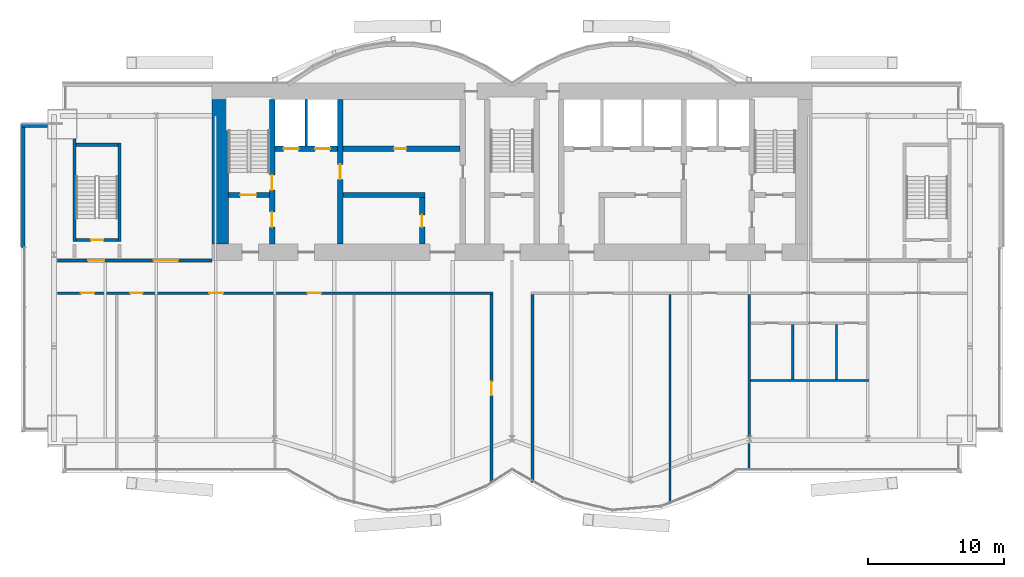
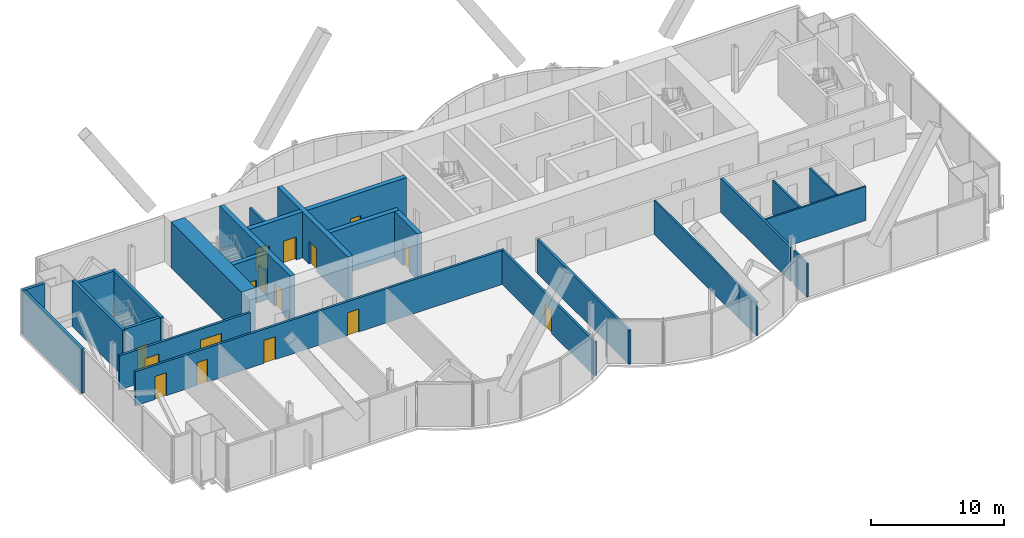
# One storey, part 13 of 19: 25 walls, 16 doors, 16 openings.
"""IFC4 building model written with IfcOpenShell, lengths in metres."""

from ifc_helpers import new_model, si_unit, direction, frame, frame_2d, origin, place, context, subcontext, project, spatial, rectangle, extrude, material, layer, layer_set, layer_usage, type_object, element, fill, save


model = new_model("IFC4")

# Units and contexts
model_context = context("Model", 3, precision=1e-05, world=origin(), true_north=direction((0.0, 1.0)))
body_context = subcontext(model_context, "Body", "Model", "MODEL_VIEW")
ifc_project = project(units=[si_unit("LENGTHUNIT", "METRE"), si_unit("AREAUNIT", "SQUARE_METRE"), si_unit("VOLUMEUNIT", "CUBIC_METRE"), si_unit("PLANEANGLEUNIT", "RADIAN"), si_unit("MASSUNIT", "GRAM", prefix="KILO")], contexts=[model_context])

# Site, building, storey
site_placement = place(None, origin())
site = spatial("IfcSite", under=ifc_project, at=site_placement, CompositionType="ELEMENT")
building_placement = place(site_placement, origin())
building = spatial("IfcBuilding", under=site, at=building_placement, Name="Bicima Exchange Tower", CompositionType="ELEMENT")
storey_placement = place(building_placement, frame((0.0, 0.0, 270.800048828125)))
storey = spatial("IfcBuildingStorey", under=building, at=storey_placement, Name="L61", CompositionType="ELEMENT", Elevation=270.800048828125)

# Wall
ifc_material_1 = material(Name="Gypsum board partition")
ifc_layer_1 = layer(ifc_material_1, 0.199951171875)
ifc_layer_set_1 = layer_set([ifc_layer_1], Name="Gypsum board partition")
wall_type_1 = type_object("IfcWallType", Name="Fire-rated gypsum partition 200 EI120", PredefinedType="PARTITIONING", material=ifc_layer_set_1)
wall_1_placement = place(storey_placement, frame((-15.10009765625, -4.60009765625, 0.0), z_axis=(0.0, 0.0, 1.0), x_axis=(0.0, 1.0, 0.0)))
element("IfcWall", 1, at=wall_1_placement, inside=storey, type_object=wall_type_1, Name="partition wall 9", PredefinedType="PARTITIONING", context=body_context, shape_type="SweptSolid", body=[
    extrude(rectangle(XDim=3.400146484375, YDim=0.199951171875, at=frame_2d((1.7001953125, 0.0))), origin(), (0.0, 0.0, 1.0), 3.1181640625),
])

# Wall, openings, doors
ifc_layer_2 = layer(ifc_material_1, 0.199951171875)
ifc_layer_set_2 = layer_set([ifc_layer_2], Name="Gypsum board partition")
wall_type_2 = type_object("IfcWallType", Name="Fire-rated gypsum partition 200 EI60", PredefinedType="PARTITIONING", material=ifc_layer_set_2)
wall_2_placement = place(storey_placement, frame((-33.340087890625, -15.39990234375, 0.0), z_axis=(0.0, 0.0, 1.0), x_axis=(1.0, 0.0, 0.0)))
wall_2 = element("IfcWall", 2, at=wall_2_placement, inside=storey, type_object=wall_type_2, Name="partition wall 3", PredefinedType="PARTITIONING", context=body_context, shape_type="SweptSolid", body=[
    extrude(rectangle(XDim=31.940185546875, YDim=0.199951171875, at=frame_2d((15.97021484375, 0.0))), origin(), (0.0, 0.0, 1.0), 3.1181640625),
])
opening_1_placement = place(wall_2_placement, frame((1.699951171875, 0.0, 0.0)))
opening_1 = element("IfcOpeningElement", 3, at=opening_1_placement, cuts=wall_2, Name="Opening L61-007", PredefinedType="OPENING", context=body_context, shape_type="SweptSolid", body=[
    extrude(rectangle(XDim=1.0, YDim=2.10009765625, at=frame_2d((0.5, 1.050048828125))), frame((0.0, 0.11181640625, 0.0), z_axis=(0.0, -1.0, 0.0), x_axis=(1.0, 0.0, 0.0)), (0.0, 0.0, 1.0), 0.223876953125),
])
opening_2_placement = place(wall_2_placement, frame((5.340087890625, 0.0, 0.0)))
opening_2 = element("IfcOpeningElement", 4, at=opening_2_placement, cuts=wall_2, Name="Opening L61-008", PredefinedType="OPENING", context=body_context, shape_type="SweptSolid", body=[
    extrude(rectangle(XDim=0.89990234375, YDim=2.10009765625, at=frame_2d((0.449951171875, 1.050048828125))), frame((0.0, 0.11181640625, 0.0), z_axis=(0.0, -1.0, 0.0), x_axis=(1.0, 0.0, 0.0)), (0.0, 0.0, 1.0), 0.223876953125),
])
opening_3_placement = place(wall_2_placement, frame((11.139892578125, 0.0, 0.0)))
opening_3 = element("IfcOpeningElement", 5, at=opening_3_placement, cuts=wall_2, Name="Opening L61-009", PredefinedType="OPENING", context=body_context, shape_type="SweptSolid", body=[
    extrude(rectangle(XDim=1.0, YDim=2.10009765625, at=frame_2d((0.5, 1.050048828125))), frame((0.0, 0.11181640625, 0.0), z_axis=(0.0, -1.0, 0.0), x_axis=(1.0, 0.0, 0.0)), (0.0, 0.0, 1.0), 0.223876953125),
])
opening_4_placement = place(wall_2_placement, frame((18.340087890625, 0.0, 0.0)))
opening_4 = element("IfcOpeningElement", 6, at=opening_4_placement, cuts=wall_2, Name="Opening L61-010", PredefinedType="OPENING", context=body_context, shape_type="SweptSolid", body=[
    extrude(rectangle(XDim=1.0, YDim=2.10009765625, at=frame_2d((0.5, 1.050048828125))), frame((0.0, 0.11181640625, 0.0), z_axis=(0.0, -1.0, 0.0), x_axis=(1.0, 0.0, 0.0)), (0.0, 0.0, 1.0), 0.223876953125),
])
ifc_material_2 = material(Name="Steel fire door leaf", Category="steel")
door_type_1 = type_object("IfcDoorType", Name="Door 1000 swing FD30S", OperationType="SINGLE_SWING_LEFT", PredefinedType="DOOR", material=ifc_material_2)
door_1_placement = place(opening_1_placement, frame((1.0, 0.0, 0.0), z_axis=(0.0, 0.0, 1.0), x_axis=(-1.0, 0.0, 0.0)))
door_1 = element("IfcDoor", 7, at=door_1_placement, inside=storey, type_object=door_type_1, Name="Door", OperationType="SINGLE_SWING_LEFT", OverallHeight=2.10009765625, OverallWidth=1.0, PredefinedType="DOOR", context=body_context, shape_type="SweptSolid", body=[
    extrude(rectangle(XDim=1.0, YDim=2.10009765625, at=frame_2d((0.5, 1.050048828125))), frame((0.0, 0.02490234375, 0.0), z_axis=(0.0, -1.0, 0.0), x_axis=(1.0, 0.0, 0.0)), (0.0, 0.0, 1.0), 0.050048828125),
])
fill(opening_1, door_1)
door_2_placement = place(opening_3_placement, frame((1.0, 0.0, 0.0), z_axis=(0.0, 0.0, 1.0), x_axis=(-1.0, 0.0, 0.0)))
door_2 = element("IfcDoor", 8, at=door_2_placement, inside=storey, type_object=door_type_1, Name="Door", OperationType="SINGLE_SWING_RIGHT", OverallHeight=2.10009765625, OverallWidth=1.0, PredefinedType="DOOR", context=body_context, shape_type="SweptSolid", body=[
    extrude(rectangle(XDim=1.0, YDim=2.10009765625, at=frame_2d((0.5, 1.050048828125))), frame((0.0, 0.02490234375, 0.0), z_axis=(0.0, -1.0, 0.0), x_axis=(1.0, 0.0, 0.0)), (0.0, 0.0, 1.0), 0.050048828125),
])
fill(opening_3, door_2)
door_3_placement = place(opening_4_placement, frame((1.0, 0.0, 0.0), z_axis=(0.0, 0.0, 1.0), x_axis=(-1.0, 0.0, 0.0)))
door_3 = element("IfcDoor", 9, at=door_3_placement, inside=storey, type_object=door_type_1, Name="Door", OperationType="SINGLE_SWING_LEFT", OverallHeight=2.10009765625, OverallWidth=1.0, PredefinedType="DOOR", context=body_context, shape_type="SweptSolid", body=[
    extrude(rectangle(XDim=1.0, YDim=2.10009765625, at=frame_2d((0.5, 1.050048828125))), frame((0.0, 0.02490234375, 0.0), z_axis=(0.0, -1.0, 0.0), x_axis=(1.0, 0.0, 0.0)), (0.0, 0.0, 1.0), 0.050048828125),
])
fill(opening_4, door_3)
door_type_2 = type_object("IfcDoorType", Name="Door 900 swing FD30S", OperationType="SINGLE_SWING_LEFT", PredefinedType="DOOR", material=ifc_material_2)
door_4_placement = place(opening_2_placement, frame((0.89990234375, 0.0, 0.0), z_axis=(0.0, 0.0, 1.0), x_axis=(-1.0, 0.0, 0.0)))
door_4 = element("IfcDoor", 10, at=door_4_placement, inside=storey, type_object=door_type_2, Name="Door", OperationType="SINGLE_SWING_RIGHT", OverallHeight=2.10009765625, OverallWidth=0.89990234375, PredefinedType="DOOR", context=body_context, shape_type="SweptSolid", body=[
    extrude(rectangle(XDim=0.89990234375, YDim=2.10009765625, at=frame_2d((0.449951171875, 1.050048828125))), frame((0.0, 0.02490234375, 0.0), z_axis=(0.0, -1.0, 0.0), x_axis=(1.0, 0.0, 0.0)), (0.0, 0.0, 1.0), 0.050048828125),
])
fill(opening_2, door_4)

wall_3_placement = place(storey_placement, frame((-33.340087890625, -13.0, 0.0), z_axis=(0.0, 0.0, 1.0), x_axis=(1.0, 0.0, 0.0)))
wall_3 = element("IfcWall", 11, at=wall_3_placement, inside=storey, type_object=wall_type_2, Name="partition wall 5", PredefinedType="PARTITIONING", context=body_context, shape_type="SweptSolid", body=[
    extrude(rectangle(XDim=11.340087890625, YDim=0.199951171875, at=frame_2d((5.669921875, 0.0))), origin(), (0.0, 0.0, 1.0), 3.1181640625),
])
opening_5_placement = place(wall_3_placement, frame((2.239990234375, 0.0, 0.0)))
opening_5 = element("IfcOpeningElement", 12, at=opening_5_placement, cuts=wall_3, Name="Opening L61-001", PredefinedType="OPENING", context=body_context, shape_type="SweptSolid", body=[
    extrude(rectangle(XDim=1.199951171875, YDim=2.10009765625, at=frame_2d((0.60009765625, 1.050048828125))), frame((0.0, 0.11181640625, 0.0), z_axis=(0.0, -1.0, 0.0), x_axis=(1.0, 0.0, 0.0)), (0.0, 0.0, 1.0), 0.223876953125),
])
opening_6_placement = place(wall_3_placement, frame((7.0400390625, 0.0, 0.0)))
opening_6 = element("IfcOpeningElement", 13, at=opening_6_placement, cuts=wall_3, Name="Opening L61-005", PredefinedType="OPENING", context=body_context, shape_type="SweptSolid", body=[
    extrude(rectangle(XDim=1.800048828125, YDim=2.10009765625, at=frame_2d((0.89990234375, 1.050048828125))), frame((0.0, 0.11181640625, 0.0), z_axis=(0.0, -1.0, 0.0), x_axis=(1.0, 0.0, 0.0)), (0.0, 0.0, 1.0), 0.223876953125),
])
door_type_3 = type_object("IfcDoorType", Name="Door 1200 swing FD30S", OperationType="SINGLE_SWING_LEFT", PredefinedType="DOOR", material=ifc_material_2)
door_5_placement = place(opening_5_placement, origin())
door_5 = element("IfcDoor", 14, at=door_5_placement, inside=storey, type_object=door_type_3, Name="Door", OperationType="SINGLE_SWING_LEFT", OverallHeight=2.10009765625, OverallWidth=1.199951171875, PredefinedType="DOOR", context=body_context, shape_type="SweptSolid", body=[
    extrude(rectangle(XDim=1.199951171875, YDim=2.10009765625, at=frame_2d((0.60009765625, 1.050048828125))), frame((0.0, 0.02490234375, 0.0), z_axis=(0.0, -1.0, 0.0), x_axis=(1.0, 0.0, 0.0)), (0.0, 0.0, 1.0), 0.050048828125),
])
fill(opening_5, door_5)
door_type_4 = type_object("IfcDoorType", Name="Door 1800 double swing FD30S", OperationType="DOUBLE_DOOR_SINGLE_SWING", PredefinedType="DOOR", material=ifc_material_2)
door_6_placement = place(opening_6_placement, origin())
door_6 = element("IfcDoor", 15, at=door_6_placement, inside=storey, type_object=door_type_4, Name="Door", OperationType="SINGLE_SWING_LEFT", OverallHeight=2.10009765625, OverallWidth=1.800048828125, PredefinedType="DOOR", context=body_context, shape_type="SweptSolid", body=[
    extrude(rectangle(XDim=1.800048828125, YDim=2.10009765625, at=frame_2d((0.89990234375, 1.050048828125))), frame((0.0, 0.02490234375, 0.0), z_axis=(0.0, -1.0, 0.0), x_axis=(1.0, 0.0, 0.0)), (0.0, 0.0, 1.0), 0.050048828125),
])
fill(opening_6, door_6)

# Wall, opening, door
wall_4_placement = place(storey_placement, frame((-1.5, -29.300048828125, 0.0), z_axis=(0.0, 0.0, 1.0), x_axis=(0.0, 1.0, 0.0)))
wall_4 = element("IfcWall", 16, at=wall_4_placement, inside=storey, type_object=wall_type_2, Name="partition wall 19", PredefinedType="PARTITIONING", context=body_context, shape_type="SweptSolid", body=[
    extrude(rectangle(XDim=13.800048828125, YDim=0.199951171875, at=frame_2d((6.89990234375, 0.0))), origin(), (0.0, 0.0, 1.0), 3.1181640625),
])
opening_7_placement = place(wall_4_placement, frame((6.39990234375, 0.0, 0.0)))
opening_7 = element("IfcOpeningElement", 17, at=opening_7_placement, cuts=wall_4, Name="Opening L61-011", PredefinedType="OPENING", context=body_context, shape_type="SweptSolid", body=[
    extrude(rectangle(XDim=1.0, YDim=2.10009765625, at=frame_2d((0.5, 1.050048828125))), frame((0.0, 0.11181640625, 0.0), z_axis=(0.0, -1.0, 0.0), x_axis=(1.0, 0.0, 0.0)), (0.0, 0.0, 1.0), 0.223876953125),
])
door_7_placement = place(opening_7_placement, origin())
door_7 = element("IfcDoor", 18, at=door_7_placement, inside=storey, type_object=door_type_1, Name="Door", OperationType="SINGLE_SWING_LEFT", OverallHeight=2.10009765625, OverallWidth=1.0, PredefinedType="DOOR", context=body_context, shape_type="SweptSolid", body=[
    extrude(rectangle(XDim=1.0, YDim=2.10009765625, at=frame_2d((0.5, 1.050048828125))), frame((0.0, 0.02490234375, 0.0), z_axis=(0.0, -1.0, 0.0), x_axis=(1.0, 0.0, 0.0)), (0.0, 0.0, 1.0), 0.050048828125),
])
fill(opening_7, door_7)

# Walls
wall_5_placement = place(storey_placement, frame((1.5, -29.300048828125, 0.0), z_axis=(0.0, 0.0, 1.0), x_axis=(0.0, 1.0, 0.0)))
element("IfcWall", 19, at=wall_5_placement, inside=storey, type_object=wall_type_2, Name="partition wall 20", PredefinedType="PARTITIONING", context=body_context, shape_type="SweptSolid", body=[
    extrude(rectangle(XDim=13.800048828125, YDim=0.199951171875, at=frame_2d((6.89990234375, 0.0))), origin(), (0.0, 0.0, 1.0), 3.1181640625),
])
wall_6_placement = place(storey_placement, frame((17.39990234375, -25.942626953125, 0.0), z_axis=(0.0, 0.0, 1.0), x_axis=(0.0, 1.0, 0.0)))
element("IfcWall", 20, at=wall_6_placement, inside=storey, type_object=wall_type_2, Name="partition wall 24", PredefinedType="PARTITIONING", context=body_context, shape_type="SweptSolid", body=[
    extrude(rectangle(XDim=10.442626953125, YDim=0.199951171875, at=frame_2d((5.22119140625, 0.0))), origin(), (0.0, 0.0, 1.0), 3.1181640625),
])
ifc_layer_3 = layer(ifc_material_1, 0.14990234375)
ifc_layer_set_3 = layer_set([ifc_layer_3], Name="Gypsum board partition")
wall_type_3 = type_object("IfcWallType", Name="Gypsum partition 150", PredefinedType="PARTITIONING", material=ifc_layer_set_3)
wall_7_placement = place(storey_placement, frame((17.5, -21.800048828125, 0.0), z_axis=(0.0, 0.0, 1.0), x_axis=(1.0, 0.0, 0.0)))
element("IfcWall", 21, at=wall_7_placement, inside=storey, type_object=wall_type_3, Name="partition wall 1", PredefinedType="PARTITIONING", context=body_context, shape_type="SweptSolid", body=[
    extrude(rectangle(XDim=8.699951171875, YDim=0.14990234375, at=frame_2d((4.35009765625, 0.0))), origin(), (0.0, 0.0, 1.0), 3.1181640625),
])
wall_8_placement = place(storey_placement, frame((11.60009765625, -30.830078125, 0.0), z_axis=(0.0, 0.0, 1.0), x_axis=(0.0, 1.0, 0.0)))
element("IfcWall", 22, at=wall_8_placement, inside=storey, type_object=wall_type_3, Name="partition wall 21", PredefinedType="PARTITIONING", context=body_context, shape_type="SweptSolid", body=[
    extrude(rectangle(XDim=2.5400390625, YDim=0.14990234375, at=frame_2d((1.27001953125, 0.0))), origin(), (0.0, 0.0, 1.0), 3.1181640625),
])
wall_9_placement = place(storey_placement, frame((11.60009765625, -28.26708984375, 0.0), z_axis=(0.0, 0.0, 1.0), x_axis=(0.0, 1.0, 0.0)))
element("IfcWall", 23, at=wall_9_placement, inside=storey, type_object=wall_type_3, Name="partition wall 22", PredefinedType="PARTITIONING", context=body_context, shape_type="SweptSolid", body=[
    extrude(rectangle(XDim=12.76708984375, YDim=0.14990234375, at=frame_2d((6.383544921875, 0.0))), origin(), (0.0, 0.0, 1.0), 3.1181640625),
])
wall_10_placement = place(storey_placement, frame((17.39990234375, -28.3701171875, 0.0), z_axis=(0.0, 0.0, 1.0), x_axis=(0.0, 1.0, 0.0)))
element("IfcWall", 24, at=wall_10_placement, inside=storey, type_object=wall_type_3, Name="partition wall 23", PredefinedType="PARTITIONING", context=body_context, shape_type="SweptSolid", body=[
    extrude(rectangle(XDim=1.952880859375, YDim=0.14990234375, at=frame_2d((0.9765625, 0.0))), origin(), (0.0, 0.0, 1.0), 3.1181640625),
])
for number, where, z_axis, x_axis, name in (
    (25, (20.60009765625, -21.72509765625, 0.0), (0.0, 0.0, 1.0), (0.0, 1.0, 0.0), "partition wall 25"),
    (26, (23.800048828125, -21.72509765625, 0.0), (0.0, 0.0, 1.0), (0.0, 1.0, 0.0), "partition wall 26"),
):
    element("IfcWall", number, at=place(storey_placement, frame(where, z_axis=z_axis, x_axis=x_axis)), inside=storey, type_object=wall_type_3, Name=name, PredefinedType="PARTITIONING", context=body_context, shape_type="SweptSolid", body=[
        extrude(rectangle(XDim=4.025146484375, YDim=0.14990234375, at=frame_2d((2.0126953125, 0.0))), origin(), (0.0, 0.0, 1.0), 3.1181640625),
    ])
ifc_material_3 = material(Name="Concrete C40/50", Category="concrete")
ifc_layer_4 = layer(ifc_material_3, 1.199951171875)
ifc_layer_set_4 = layer_set([ifc_layer_4], Name="Concrete C40/50")
wall_type_4 = type_object("IfcWallType", Name="RC core wall 1200 C40/50", PredefinedType="SHEAR", material=ifc_layer_set_4)
wall_11_placement = place(storey_placement, frame((-21.39990234375, -11.800048828125, 0.0), z_axis=(0.0, 0.0, 1.0), x_axis=(0.0, 1.0, 0.0)))
element("IfcWall", 27, at=wall_11_placement, inside=storey, type_object=wall_type_4, Name="Core wall west", PredefinedType="SHEAR", context=body_context, shape_type="SweptSolid", body=[
    extrude(rectangle(XDim=10.60009765625, YDim=1.199951171875, at=frame_2d((5.300048828125, 0.0))), origin(), (0.0, 0.0, 1.0), 4.199951171875),
])
ifc_layer_5 = layer(ifc_material_3, 0.39990234375)
ifc_layer_set_5 = layer_set([ifc_layer_5], Name="Concrete C40/50")
wall_type_5 = type_object("IfcWallType", Name="RC core wall 400 C40/50", PredefinedType="SHEAR", material=ifc_layer_set_5)
wall_12_placement = place(storey_placement, frame((-12.39990234375, -8.199951171875, 0.0), z_axis=(0.0, 0.0, 1.0), x_axis=(1.0, 0.0, 0.0)))
element("IfcWall", 28, at=wall_12_placement, inside=storey, type_object=wall_type_5, Name="shear wall 2", PredefinedType="SHEAR", context=body_context, shape_type="SweptSolid", body=[
    extrude(rectangle(XDim=6.0, YDim=0.39990234375, at=frame_2d((3.0, 0.0))), origin(), (0.0, 0.0, 1.0), 4.199951171875),
])

# Wall, openings, doors
wall_13_placement = place(storey_placement, frame((-17.39990234375, -4.800048828125, 0.0), z_axis=(0.0, 0.0, 1.0), x_axis=(1.0, 0.0, 0.0)))
wall_13 = element("IfcWall", 29, at=wall_13_placement, inside=storey, type_object=wall_type_5, Name="shear wall 6", PredefinedType="SHEAR", context=body_context, shape_type="SweptSolid", body=[
    extrude(rectangle(XDim=13.599853515625, YDim=0.39990234375, at=frame_2d((6.7998046875, 0.0))), origin(), (0.0, 0.0, 1.0), 4.199951171875),
])
opening_8_placement = place(wall_13_placement, frame((0.64990234375, 0.0, 0.0)))
opening_8 = element("IfcOpeningElement", 30, at=opening_8_placement, cuts=wall_13, Name="Opening LD-FF1-L61", PredefinedType="OPENING", context=body_context, shape_type="SweptSolid", body=[
    extrude(rectangle(XDim=1.10009765625, YDim=2.10009765625, at=frame_2d((0.550048828125, 1.050048828125))), frame((0.0, 0.2119140625, 0.0), z_axis=(0.0, -1.0, 0.0), x_axis=(1.0, 0.0, 0.0)), (0.0, 0.0, 1.0), 0.423828125),
])
opening_9_placement = place(wall_13_placement, frame((2.949951171875, 0.0, 0.0)))
opening_9 = element("IfcOpeningElement", 31, at=opening_9_placement, cuts=wall_13, Name="Opening LD-FF3-L61", PredefinedType="OPENING", context=body_context, shape_type="SweptSolid", body=[
    extrude(rectangle(XDim=1.10009765625, YDim=2.10009765625, at=frame_2d((0.550048828125, 1.050048828125))), frame((0.0, 0.2119140625, 0.0), z_axis=(0.0, -1.0, 0.0), x_axis=(1.0, 0.0, 0.0)), (0.0, 0.0, 1.0), 0.423828125),
])
opening_10_placement = place(wall_13_placement, frame((8.75, 0.0, 0.0)))
opening_10 = element("IfcOpeningElement", 32, at=opening_10_placement, cuts=wall_13, Name="Opening L61-C12", PredefinedType="OPENING", context=body_context, shape_type="SweptSolid", body=[
    extrude(rectangle(XDim=0.89990234375, YDim=2.10009765625, at=frame_2d((0.449951171875, 1.050048828125))), frame((0.0, 0.2119140625, 0.0), z_axis=(0.0, -1.0, 0.0), x_axis=(1.0, 0.0, 0.0)), (0.0, 0.0, 1.0), 0.423828125),
])
door_8_placement = place(opening_10_placement, origin())
door_8 = element("IfcDoor", 33, at=door_8_placement, inside=storey, type_object=door_type_2, Name="Core door", OperationType="SINGLE_SWING_RIGHT", OverallHeight=2.10009765625, OverallWidth=0.89990234375, PredefinedType="DOOR", context=body_context, shape_type="SweptSolid", body=[
    extrude(rectangle(XDim=0.89990234375, YDim=2.10009765625, at=frame_2d((0.449951171875, 1.050048828125))), frame((0.0, 0.02490234375, 0.0), z_axis=(0.0, -1.0, 0.0), x_axis=(1.0, 0.0, 0.0)), (0.0, 0.0, 1.0), 0.050048828125),
])
fill(opening_10, door_8)
ifc_material_4 = material(Name="Stainless steel", Category="steel")
door_type_5 = type_object("IfcDoorType", Name="Lift landing door 1100 sliding", OperationType="DOUBLE_DOOR_SLIDING", PredefinedType="DOOR", material=ifc_material_4)
door_9_placement = place(opening_8_placement, origin())
door_9 = element("IfcDoor", 34, at=door_9_placement, inside=storey, type_object=door_type_5, Name="Lift landing door FF1", OperationType="DOUBLE_DOOR_SLIDING", OverallHeight=2.10009765625, OverallWidth=1.10009765625, PredefinedType="DOOR", context=body_context, shape_type="SweptSolid", body=[
    extrude(rectangle(XDim=1.10009765625, YDim=2.10009765625, at=frame_2d((0.550048828125, 1.050048828125))), frame((0.0, 0.02490234375, 0.0), z_axis=(0.0, -1.0, 0.0), x_axis=(1.0, 0.0, 0.0)), (0.0, 0.0, 1.0), 0.050048828125),
])
fill(opening_8, door_9)
door_10_placement = place(opening_9_placement, origin())
door_10 = element("IfcDoor", 35, at=door_10_placement, inside=storey, type_object=door_type_5, Name="Lift landing door FF3", OperationType="DOUBLE_DOOR_SLIDING", OverallHeight=2.10009765625, OverallWidth=1.10009765625, PredefinedType="DOOR", context=body_context, shape_type="SweptSolid", body=[
    extrude(rectangle(XDim=1.10009765625, YDim=2.10009765625, at=frame_2d((0.550048828125, 1.050048828125))), frame((0.0, 0.02490234375, 0.0), z_axis=(0.0, -1.0, 0.0), x_axis=(1.0, 0.0, 0.0)), (0.0, 0.0, 1.0), 0.050048828125),
])
fill(opening_9, door_10)

# Wall, opening, door
wall_14_placement = place(storey_placement, frame((-12.60009765625, -11.800048828125, 0.0), z_axis=(0.0, 0.0, 1.0), x_axis=(0.0, 1.0, 0.0)))
wall_14 = element("IfcWall", 36, at=wall_14_placement, inside=storey, type_object=wall_type_5, Name="shear wall 10", PredefinedType="SHEAR", context=body_context, shape_type="SweptSolid", body=[
    extrude(rectangle(XDim=10.60009765625, YDim=0.39990234375, at=frame_2d((5.300048828125, 0.0))), origin(), (0.0, 0.0, 1.0), 4.199951171875),
])
opening_11_placement = place(wall_14_placement, frame((4.75, 0.0, 0.0)))
opening_11 = element("IfcOpeningElement", 37, at=opening_11_placement, cuts=wall_14, Name="Opening L61-C07", PredefinedType="OPENING", context=body_context, shape_type="SweptSolid", body=[
    extrude(rectangle(XDim=1.10009765625, YDim=2.10009765625, at=frame_2d((0.550048828125, 1.050048828125))), frame((0.0, 0.2119140625, 0.0), z_axis=(0.0, -1.0, 0.0), x_axis=(1.0, 0.0, 0.0)), (0.0, 0.0, 1.0), 0.423828125),
])
door_type_6 = type_object("IfcDoorType", Name="Door 1100 swing FD60S", OperationType="SINGLE_SWING_LEFT", PredefinedType="DOOR", material=ifc_material_2)
door_11_placement = place(opening_11_placement, origin())
door_11 = element("IfcDoor", 38, at=door_11_placement, inside=storey, type_object=door_type_6, Name="Core door", OperationType="SINGLE_SWING_LEFT", OverallHeight=2.10009765625, OverallWidth=1.10009765625, PredefinedType="DOOR", context=body_context, shape_type="SweptSolid", body=[
    extrude(rectangle(XDim=1.10009765625, YDim=2.10009765625, at=frame_2d((0.550048828125, 1.050048828125))), frame((0.0, 0.02490234375, 0.0), z_axis=(0.0, -1.0, 0.0), x_axis=(1.0, 0.0, 0.0)), (0.0, 0.0, 1.0), 0.050048828125),
])
fill(opening_11, door_11)

wall_15_placement = place(storey_placement, frame((-6.60009765625, -11.800048828125, 0.0), z_axis=(0.0, 0.0, 1.0), x_axis=(0.0, 1.0, 0.0)))
wall_15 = element("IfcWall", 39, at=wall_15_placement, inside=storey, type_object=wall_type_5, Name="shear wall 11", PredefinedType="SHEAR", context=body_context, shape_type="SweptSolid", body=[
    extrude(rectangle(XDim=3.400146484375, YDim=0.39990234375, at=frame_2d((1.7001953125, 0.0))), origin(), (0.0, 0.0, 1.0), 4.199951171875),
])
opening_12_placement = place(wall_15_placement, frame((1.25, 0.0, 0.0)))
opening_12 = element("IfcOpeningElement", 40, at=opening_12_placement, cuts=wall_15, Name="Opening L61-C13", PredefinedType="OPENING", context=body_context, shape_type="SweptSolid", body=[
    extrude(rectangle(XDim=0.89990234375, YDim=2.10009765625, at=frame_2d((0.449951171875, 1.050048828125))), frame((0.0, 0.2119140625, 0.0), z_axis=(0.0, -1.0, 0.0), x_axis=(1.0, 0.0, 0.0)), (0.0, 0.0, 1.0), 0.423828125),
])
door_12_placement = place(opening_12_placement, origin())
door_12 = element("IfcDoor", 41, at=door_12_placement, inside=storey, type_object=door_type_2, Name="Core door", OperationType="SINGLE_SWING_LEFT", OverallHeight=2.10009765625, OverallWidth=0.89990234375, PredefinedType="DOOR", context=body_context, shape_type="SweptSolid", body=[
    extrude(rectangle(XDim=0.89990234375, YDim=2.10009765625, at=frame_2d((0.449951171875, 1.050048828125))), frame((0.0, 0.02490234375, 0.0), z_axis=(0.0, -1.0, 0.0), x_axis=(1.0, 0.0, 0.0)), (0.0, 0.0, 1.0), 0.050048828125),
])
fill(opening_12, door_12)

ifc_material_5 = material(Name="Concrete C50/60", Category="concrete")
ifc_layer_6 = layer(ifc_material_5, 0.39990234375)
ifc_layer_set_6 = layer_set([ifc_layer_6], Name="Concrete C50/60")
wall_type_6 = type_object("IfcWallType", Name="RC core wall 400 C50/60", PredefinedType="SHEAR", material=ifc_layer_set_6)
wall_16_placement = place(storey_placement, frame((-20.800048828125, -8.199951171875, 0.0), z_axis=(0.0, 0.0, 1.0), x_axis=(1.0, 0.0, 0.0)))
wall_16 = element("IfcWall", 42, at=wall_16_placement, inside=storey, type_object=wall_type_6, Name="stair wall 1", PredefinedType="SHEAR", context=body_context, shape_type="SweptSolid", body=[
    extrude(rectangle(XDim=3.0, YDim=0.39990234375, at=frame_2d((1.5, 0.0))), origin(), (0.0, 0.0, 1.0), 4.199951171875),
])
opening_13_placement = place(wall_16_placement, frame((0.85009765625, 0.0, 0.0)))
opening_13 = element("IfcOpeningElement", 43, at=opening_13_placement, cuts=wall_16, Name="Opening L61-C01", PredefinedType="OPENING", context=body_context, shape_type="SweptSolid", body=[
    extrude(rectangle(XDim=1.199951171875, YDim=2.10009765625, at=frame_2d((0.60009765625, 1.050048828125))), frame((0.0, 0.2119140625, 0.0), z_axis=(0.0, -1.0, 0.0), x_axis=(1.0, 0.0, 0.0)), (0.0, 0.0, 1.0), 0.423828125),
])
door_type_7 = type_object("IfcDoorType", Name="Door 1200 swing FD60S", OperationType="SINGLE_SWING_LEFT", PredefinedType="DOOR", material=ifc_material_2)
door_13_placement = place(opening_13_placement, origin())
door_13 = element("IfcDoor", 44, at=door_13_placement, inside=storey, type_object=door_type_7, Name="Core door", OperationType="SINGLE_SWING_LEFT", OverallHeight=2.10009765625, OverallWidth=1.199951171875, PredefinedType="DOOR", context=body_context, shape_type="SweptSolid", body=[
    extrude(rectangle(XDim=1.199951171875, YDim=2.10009765625, at=frame_2d((0.60009765625, 1.050048828125))), frame((0.0, 0.02490234375, 0.0), z_axis=(0.0, -1.0, 0.0), x_axis=(1.0, 0.0, 0.0)), (0.0, 0.0, 1.0), 0.050048828125),
])
fill(opening_13, door_13)

# Wall, openings, doors
wall_17_placement = place(storey_placement, frame((-17.60009765625, -11.800048828125, 0.0), z_axis=(0.0, 0.0, 1.0), x_axis=(0.0, 1.0, 0.0)))
wall_17 = element("IfcWall", 45, at=wall_17_placement, inside=storey, type_object=wall_type_6, Name="stair wall 8", PredefinedType="SHEAR", context=body_context, shape_type="SweptSolid", body=[
    extrude(rectangle(XDim=10.60009765625, YDim=0.39990234375, at=frame_2d((5.300048828125, 0.0))), origin(), (0.0, 0.0, 1.0), 4.199951171875),
])
opening_14_placement = place(wall_17_placement, frame((1.25, 0.0, 0.0)))
opening_14 = element("IfcOpeningElement", 46, at=opening_14_placement, cuts=wall_17, Name="Opening L61-C02", PredefinedType="OPENING", context=body_context, shape_type="SweptSolid", body=[
    extrude(rectangle(XDim=1.10009765625, YDim=2.10009765625, at=frame_2d((0.550048828125, 1.050048828125))), frame((0.0, 0.2119140625, 0.0), z_axis=(0.0, -1.0, 0.0), x_axis=(1.0, 0.0, 0.0)), (0.0, 0.0, 1.0), 0.423828125),
])
opening_15_placement = place(wall_17_placement, frame((3.949951171875, 0.0, 0.0)))
opening_15 = element("IfcOpeningElement", 47, at=opening_15_placement, cuts=wall_17, Name="Opening L61-C06", PredefinedType="OPENING", context=body_context, shape_type="SweptSolid", body=[
    extrude(rectangle(XDim=1.10009765625, YDim=2.10009765625, at=frame_2d((0.550048828125, 1.050048828125))), frame((0.0, 0.2119140625, 0.0), z_axis=(0.0, -1.0, 0.0), x_axis=(1.0, 0.0, 0.0)), (0.0, 0.0, 1.0), 0.423828125),
])
door_14_placement = place(opening_14_placement, frame((1.10009765625, 0.0, 0.0), z_axis=(0.0, 0.0, 1.0), x_axis=(-1.0, 0.0, 0.0)))
door_14 = element("IfcDoor", 48, at=door_14_placement, inside=storey, type_object=door_type_6, Name="Core door", OperationType="SINGLE_SWING_LEFT", OverallHeight=2.10009765625, OverallWidth=1.10009765625, PredefinedType="DOOR", context=body_context, shape_type="SweptSolid", body=[
    extrude(rectangle(XDim=1.10009765625, YDim=2.10009765625, at=frame_2d((0.550048828125, 1.050048828125))), frame((0.0, 0.02490234375, 0.0), z_axis=(0.0, -1.0, 0.0), x_axis=(1.0, 0.0, 0.0)), (0.0, 0.0, 1.0), 0.050048828125),
])
fill(opening_14, door_14)
door_15_placement = place(opening_15_placement, frame((1.10009765625, 0.0, 0.0), z_axis=(0.0, 0.0, 1.0), x_axis=(-1.0, 0.0, 0.0)))
door_15 = element("IfcDoor", 49, at=door_15_placement, inside=storey, type_object=door_type_6, Name="Core door", OperationType="SINGLE_SWING_LEFT", OverallHeight=2.10009765625, OverallWidth=1.10009765625, PredefinedType="DOOR", context=body_context, shape_type="SweptSolid", body=[
    extrude(rectangle(XDim=1.10009765625, YDim=2.10009765625, at=frame_2d((0.550048828125, 1.050048828125))), frame((0.0, 0.02490234375, 0.0), z_axis=(0.0, -1.0, 0.0), x_axis=(1.0, 0.0, 0.0)), (0.0, 0.0, 1.0), 0.050048828125),
])
fill(opening_15, door_15)

# Walls
ifc_layer_7 = layer(ifc_material_5, 0.25)
ifc_layer_set_7 = layer_set([ifc_layer_7], Name="Concrete C50/60")
wall_type_7 = type_object("IfcWallType", Name="RC stair enclosure wall 250 C50/60", PredefinedType="SHEAR", material=ifc_layer_set_7)
wall_18_placement = place(storey_placement, frame((-32.10009765625, -11.625, 0.0), z_axis=(0.0, 0.0, 1.0), x_axis=(0.0, 1.0, 0.0)))
element("IfcWall", 50, at=wall_18_placement, inside=storey, type_object=wall_type_7, Name="West end exit stair wall W", PredefinedType="SHEAR", context=body_context, shape_type="SweptSolid", body=[
    extrude(rectangle(XDim=7.52490234375, YDim=0.25, at=frame_2d((3.762451171875, 0.0))), origin(), (0.0, 0.0, 1.0), 4.199951171875),
])
wall_19_placement = place(storey_placement, frame((-28.800048828125, -11.625, 0.0), z_axis=(0.0, 0.0, 1.0), x_axis=(0.0, 1.0, 0.0)))
element("IfcWall", 51, at=wall_19_placement, inside=storey, type_object=wall_type_7, Name="West end exit stair wall E", PredefinedType="SHEAR", context=body_context, shape_type="SweptSolid", body=[
    extrude(rectangle(XDim=7.25, YDim=0.25, at=frame_2d((3.625, 0.0))), origin(), (0.0, 0.0, 1.0), 4.199951171875),
])

# Wall, opening, door
wall_20_placement = place(storey_placement, frame((-31.97509765625, -11.5, 0.0), z_axis=(0.0, 0.0, 1.0), x_axis=(1.0, 0.0, 0.0)))
wall_20 = element("IfcWall", 52, at=wall_20_placement, inside=storey, type_object=wall_type_7, Name="West end exit stair wall S", PredefinedType="SHEAR", context=body_context, shape_type="SweptSolid", body=[
    extrude(rectangle(XDim=3.050048828125, YDim=0.25, at=frame_2d((1.52490234375, 0.0))), origin(), (0.0, 0.0, 1.0), 4.199951171875),
])
opening_16_placement = place(wall_20_placement, frame((1.10009765625, 0.0, 0.0)))
opening_16 = element("IfcOpeningElement", 53, at=opening_16_placement, cuts=wall_20, Name="Opening L61-002", PredefinedType="OPENING", context=body_context, shape_type="SweptSolid", body=[
    extrude(rectangle(XDim=0.89990234375, YDim=2.10009765625, at=frame_2d((0.449951171875, 1.050048828125))), frame((0.0, 0.136962890625, 0.0), z_axis=(0.0, -1.0, 0.0), x_axis=(1.0, 0.0, 0.0)), (0.0, 0.0, 1.0), 0.27392578125),
])
door_type_8 = type_object("IfcDoorType", Name="Door 900 swing FD60S", OperationType="SINGLE_SWING_LEFT", PredefinedType="DOOR", material=ifc_material_2)
door_16_placement = place(opening_16_placement, origin())
door_16 = element("IfcDoor", 54, at=door_16_placement, inside=storey, type_object=door_type_8, Name="Door", OperationType="SINGLE_SWING_LEFT", OverallHeight=2.10009765625, OverallWidth=0.89990234375, PredefinedType="DOOR", context=body_context, shape_type="SweptSolid", body=[
    extrude(rectangle(XDim=0.89990234375, YDim=2.10009765625, at=frame_2d((0.449951171875, 1.050048828125))), frame((0.0, 0.02490234375, 0.0), z_axis=(0.0, -1.0, 0.0), x_axis=(1.0, 0.0, 0.0)), (0.0, 0.0, 1.0), 0.050048828125),
])
fill(opening_16, door_16)

# Walls
wall_21_placement = place(storey_placement, frame((-31.97509765625, -4.5, 0.0), z_axis=(0.0, 0.0, 1.0), x_axis=(1.0, 0.0, 0.0)))
element("IfcWall", 55, at=wall_21_placement, inside=storey, type_object=wall_type_7, Name="West end exit stair wall N", PredefinedType="SHEAR", context=body_context, shape_type="SweptSolid", body=[
    extrude(rectangle(XDim=3.050048828125, YDim=0.25, at=frame_2d((1.52490234375, 0.0))), origin(), (0.0, 0.0, 1.0), 4.199951171875),
])
ifc_layer_8 = layer(ifc_material_3, 0.25)
ifc_layer_set_8 = layer_set([ifc_layer_8], Name="Concrete C40/50")
ifc_layer_usage = layer_usage(ifc_layer_set_8, "AXIS2", "POSITIVE", -0.125)
wall_type_8 = type_object("IfcWallType", Name="Rear backup wall 250", PredefinedType="STANDARD", material=ifc_layer_set_8)
wall_22_placement = place(storey_placement, frame((-34.10009765625, -3.125, 0.0), z_axis=(0.0, 0.0, 1.0), x_axis=(-1.0, 0.0, 0.0)))
element("IfcWall", 56, at=wall_22_placement, inside=storey, type_object=wall_type_8, material=ifc_layer_usage, Name="Rear backup wall L61 22", PredefinedType="STANDARD", context=body_context, shape_type="SweptSolid", body=[
    extrude(rectangle(XDim=1.89990234375, YDim=0.25, at=frame_2d((0.949951171875, 0.0))), origin(), (0.0, 0.0, 1.0), 4.050048828125),
])
wall_23_placement = place(storey_placement, frame((-35.875, -3.0, 0.0), z_axis=(0.0, 0.0, 1.0), x_axis=(0.0, -1.0, 0.0)))
element("IfcWall", 57, at=wall_23_placement, inside=storey, type_object=wall_type_8, material=ifc_layer_usage, Name="Rear backup wall L61 23", PredefinedType="STANDARD", context=body_context, shape_type="SweptSolid", body=[
    extrude(rectangle(XDim=9.090087890625, YDim=0.25, at=frame_2d((4.544921875, 0.0))), origin(), (0.0, 0.0, 1.0), 4.050048828125),
])

save(model, "model.ifc")
